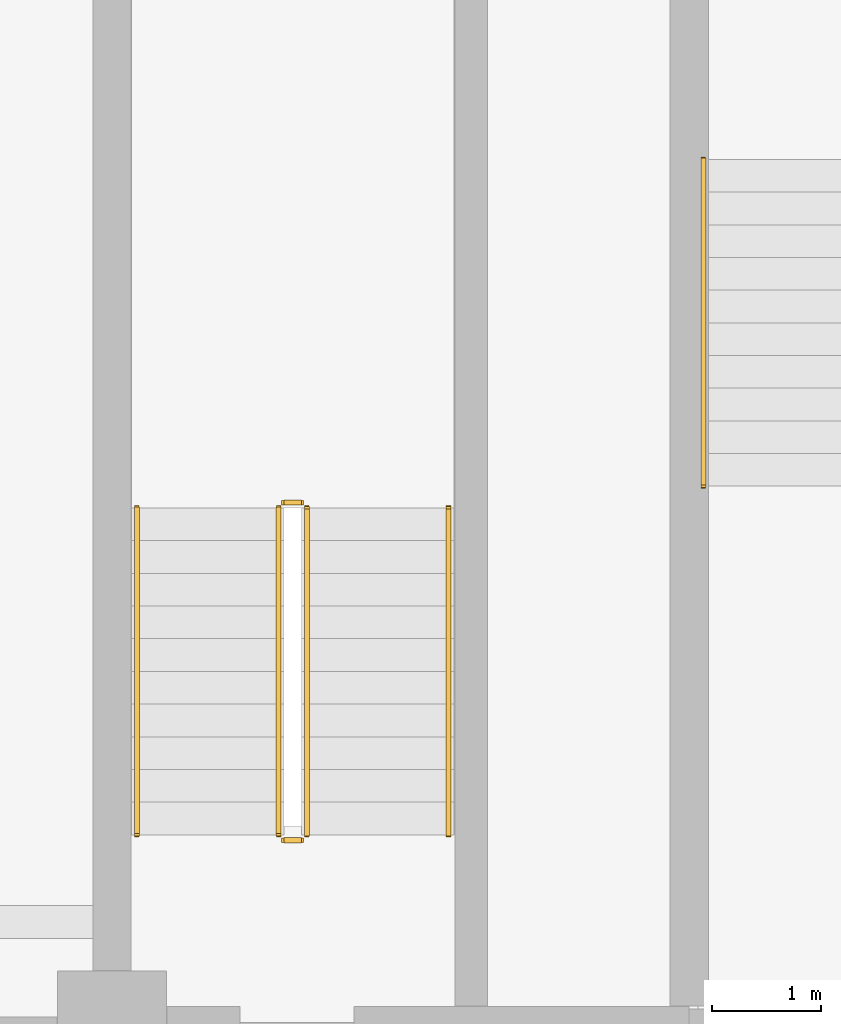
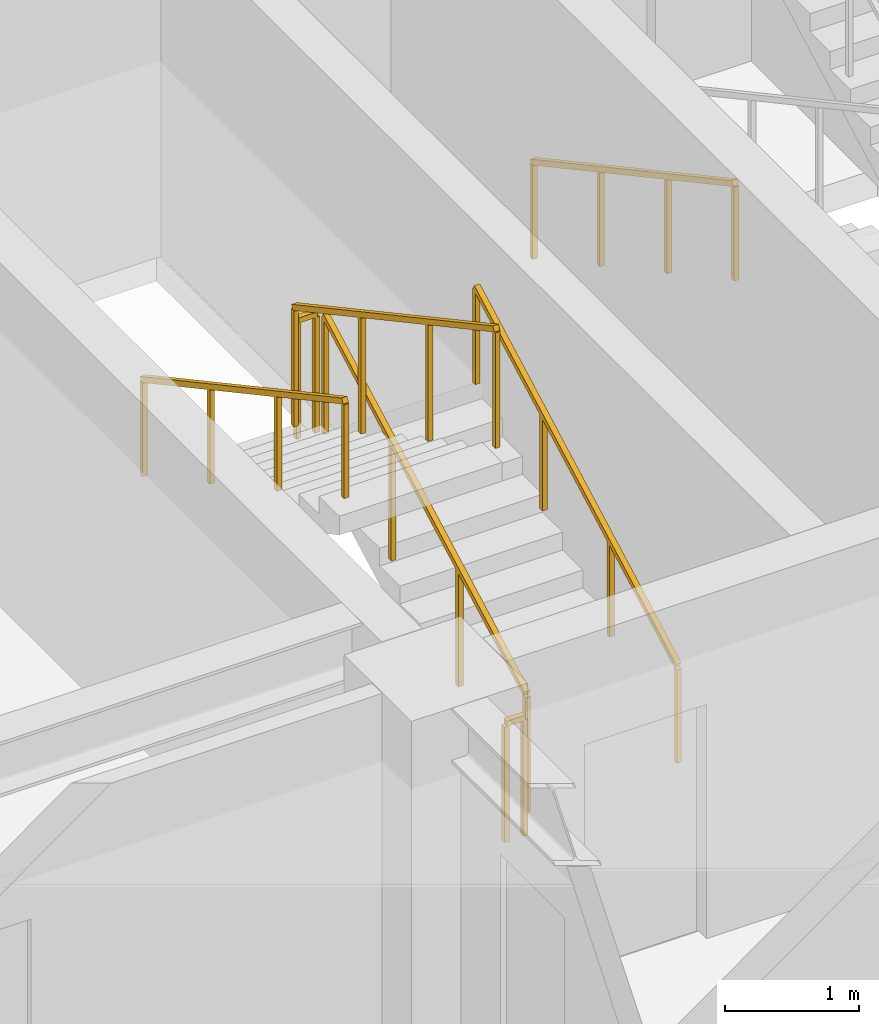
# One storey, part 13 of 17: 7 railings.
"""IFC4 building model written with IfcOpenShell, lengths in metres."""

from ifc_helpers import new_model, si_unit, direction, frame, origin, origin_2d, place, context, subcontext, project, spatial, rectangle, extrude, material, type_object, element, save


model = new_model("IFC4")

# Units and contexts
model_context = context("Model", 3, precision=1e-05, world=origin(), true_north=direction((0.0, 1.0)))
body_context = subcontext(model_context, "Body", "Model", "MODEL_VIEW")
ifc_project = project(units=[si_unit("LENGTHUNIT", "METRE"), si_unit("AREAUNIT", "SQUARE_METRE"), si_unit("VOLUMEUNIT", "CUBIC_METRE"), si_unit("PLANEANGLEUNIT", "RADIAN"), si_unit("MASSUNIT", "GRAM", prefix="KILO")], contexts=[model_context])

# Site, building, storey
site_placement = place(None, origin())
site = spatial("IfcSite", under=ifc_project, at=site_placement, CompositionType="ELEMENT")
building_placement = place(site_placement, origin())
building = spatial("IfcBuilding", under=site, at=building_placement, Name="Zulmaris Gate Convention Tower", CompositionType="ELEMENT")
storey_placement = place(building_placement, frame((0.0, 0.0, 149.909912109375)))
storey = spatial("IfcBuildingStorey", under=building, at=storey_placement, Name="L38", CompositionType="ELEMENT", Elevation=149.909912109375)

# Railings
ifc_material_1 = material(Name="Painted Galvanised Steel", Category="steel")
railing_type_1 = type_object("IfcRailingType", Name="RL-STG-1150", PredefinedType="GUARDRAIL", material=ifc_material_1)
railing_1_placement = place(storey_placement, frame((-18.2099609375, -8.199951171875, 0.162353515625)))
element("IfcRailing", 1, at=railing_1_placement, inside=storey, type_object=railing_type_1, Name="L38 ST-3 stair guard 1", PredefinedType="GUARDRAIL", context=body_context, shape_type="SweptSolid", body=[
    extrude(rectangle(XDim=0.048095703125, YDim=0.048095703125, at=origin_2d()), frame((0.0, 0.0, 1.076171875), z_axis=(0.0, 0.8795616155, 0.475784998228), x_axis=(-1.0, 0.0, 0.0)), (0.0, 0.0, 1.0), 3.410888671875),
    extrude(rectangle(XDim=0.0419921875, YDim=0.0419921875, at=origin_2d()), origin(), (0.0, 0.0, 1.0), 1.052001953125),
    extrude(rectangle(XDim=0.0419921875, YDim=0.0419921875, at=origin_2d()), frame((0.0, 1.0, 0.541015625)), (0.0, 0.0, 1.0), 1.052001953125),
    extrude(rectangle(XDim=0.0419921875, YDim=0.0419921875, at=origin_2d()), frame((0.0, 2.0, 1.081787109375)), (0.0, 0.0, 1.0), 1.052001953125),
    extrude(rectangle(XDim=0.0419921875, YDim=0.0419921875, at=origin_2d()), frame((0.0, 3.0, 1.622802734375)), (0.0, 0.0, 1.0), 1.052001953125),
])
railing_2_placement = place(storey_placement, frame((-18.260009765625, -5.14990234375, 1.78515625)))
element("IfcRailing", 2, at=railing_2_placement, inside=storey, type_object=railing_type_1, Name="L38 ST-3 stair guard 2", PredefinedType="GUARDRAIL", context=body_context, shape_type="SweptSolid", body=[
    extrude(rectangle(XDim=0.048095703125, YDim=0.048095703125, at=origin_2d()), frame((0.0, 0.0, 1.076171875), z_axis=(-1.0, 0.0, 0.0), x_axis=(0.0, -1.0, 0.0)), (0.0, 0.0, 1.0), 0.159912109375),
    extrude(rectangle(XDim=0.0419921875, YDim=0.0419921875, at=origin_2d()), origin(), (0.0, 0.0, 1.0), 1.052001953125),
    extrude(rectangle(XDim=0.0419921875, YDim=0.0419921875, at=origin_2d()), frame((-0.159912109375, 0.0, 0.0)), (0.0, 0.0, 1.0), 1.052001953125),
])
railing_3_placement = place(storey_placement, frame((-18.469970703125, -5.199951171875, 1.947265625)))
element("IfcRailing", 3, at=railing_3_placement, inside=storey, type_object=railing_type_1, Name="L38 ST-3 stair guard 3", PredefinedType="GUARDRAIL", context=body_context, shape_type="SweptSolid", body=[
    extrude(rectangle(XDim=0.048095703125, YDim=0.048095703125, at=origin_2d()), frame((0.0, 0.0, 1.076171875), z_axis=(0.0, -0.8795616155, 0.475784998228), x_axis=(1.0, 0.0, 0.0)), (0.0, 0.0, 1.0), 3.410888671875),
    extrude(rectangle(XDim=0.0419921875, YDim=0.0419921875, at=origin_2d()), origin(), (0.0, 0.0, 1.0), 1.052001953125),
    extrude(rectangle(XDim=0.0419921875, YDim=0.0419921875, at=origin_2d()), frame((0.0, -1.0, 0.541015625)), (0.0, 0.0, 1.0), 1.052001953125),
    extrude(rectangle(XDim=0.0419921875, YDim=0.0419921875, at=origin_2d()), frame((0.0, -2.0, 1.081787109375)), (0.0, 0.0, 1.0), 1.052001953125),
    extrude(rectangle(XDim=0.0419921875, YDim=0.0419921875, at=origin_2d()), frame((0.0, -3.0, 1.622802734375)), (0.0, 0.0, 1.0), 1.052001953125),
])
railing_4_placement = place(storey_placement, frame((-18.260009765625, -8.25, 0.0)))
element("IfcRailing", 4, at=railing_4_placement, inside=storey, type_object=railing_type_1, Name="L38 ST-3 stair guard 4", PredefinedType="GUARDRAIL", context=body_context, shape_type="SweptSolid", body=[
    extrude(rectangle(XDim=0.048095703125, YDim=0.048095703125, at=origin_2d()), frame((0.0, 0.0, 1.076171875), z_axis=(-1.0, 0.0, 0.0), x_axis=(0.0, -1.0, 0.0)), (0.0, 0.0, 1.0), 0.159912109375),
    extrude(rectangle(XDim=0.0419921875, YDim=0.0419921875, at=origin_2d()), origin(), (0.0, 0.0, 1.0), 1.052001953125),
    extrude(rectangle(XDim=0.0419921875, YDim=0.0419921875, at=origin_2d()), frame((-0.159912109375, 0.0, 0.0)), (0.0, 0.0, 1.0), 1.052001953125),
])
ifc_material_2 = material(Name="Brushed Stainless Steel", Category="steel")
railing_type_2 = type_object("IfcRailingType", Name="RL-STH-900", PredefinedType="HANDRAIL", material=ifc_material_2)
railing_5_placement = place(storey_placement, frame((-14.570068359375, -2.0, 0.162353515625)))
element("IfcRailing", 5, at=railing_5_placement, inside=storey, type_object=railing_type_2, Name="L38 ST-1 stair handrail 1", PredefinedType="HANDRAIL", context=body_context, shape_type="SweptSolid", body=[
    extrude(rectangle(XDim=0.048095703125, YDim=0.048095703125, at=origin_2d()), frame((0.0, 0.0, 0.8759765625), z_axis=(0.0, -0.8795616155, 0.475784998228), x_axis=(1.0, 0.0, 0.0)), (0.0, 0.0, 1.0), 3.410888671875),
    extrude(rectangle(XDim=0.0419921875, YDim=0.0419921875, at=origin_2d()), origin(), (0.0, 0.0, 1.0), 0.851806640625),
    extrude(rectangle(XDim=0.0419921875, YDim=0.0419921875, at=origin_2d()), frame((0.0, -1.0, 0.541015625)), (0.0, 0.0, 1.0), 0.851806640625),
    extrude(rectangle(XDim=0.0419921875, YDim=0.0419921875, at=origin_2d()), frame((0.0, -2.0, 1.081787109375)), (0.0, 0.0, 1.0), 0.851806640625),
    extrude(rectangle(XDim=0.0419921875, YDim=0.0419921875, at=origin_2d()), frame((0.0, -3.0, 1.622802734375)), (0.0, 0.0, 1.0), 0.851806640625),
])
railing_6_placement = place(storey_placement, frame((-16.909912109375, -8.199951171875, 0.162353515625)))
element("IfcRailing", 6, at=railing_6_placement, inside=storey, type_object=railing_type_2, Name="L38 ST-3 stair handrail 1", PredefinedType="HANDRAIL", context=body_context, shape_type="SweptSolid", body=[
    extrude(rectangle(XDim=0.048095703125, YDim=0.048095703125, at=origin_2d()), frame((0.0, 0.0, 0.8759765625), z_axis=(0.0, 0.8795616155, 0.475784998228), x_axis=(-1.0, 0.0, 0.0)), (0.0, 0.0, 1.0), 3.410888671875),
    extrude(rectangle(XDim=0.0419921875, YDim=0.0419921875, at=origin_2d()), origin(), (0.0, 0.0, 1.0), 0.851806640625),
    extrude(rectangle(XDim=0.0419921875, YDim=0.0419921875, at=origin_2d()), frame((0.0, 1.0, 0.541015625)), (0.0, 0.0, 1.0), 0.851806640625),
    extrude(rectangle(XDim=0.0419921875, YDim=0.0419921875, at=origin_2d()), frame((0.0, 2.0, 1.081787109375)), (0.0, 0.0, 1.0), 0.851806640625),
    extrude(rectangle(XDim=0.0419921875, YDim=0.0419921875, at=origin_2d()), frame((0.0, 3.0, 1.622802734375)), (0.0, 0.0, 1.0), 0.851806640625),
])
railing_7_placement = place(storey_placement, frame((-19.77001953125, -5.199951171875, 1.947265625)))
element("IfcRailing", 7, at=railing_7_placement, inside=storey, type_object=railing_type_2, Name="L38 ST-3 stair handrail 2", PredefinedType="HANDRAIL", context=body_context, shape_type="SweptSolid", body=[
    extrude(rectangle(XDim=0.048095703125, YDim=0.048095703125, at=origin_2d()), frame((0.0, 0.0, 0.8759765625), z_axis=(0.0, -0.8795616155, 0.475784998228), x_axis=(1.0, 0.0, 0.0)), (0.0, 0.0, 1.0), 3.410888671875),
    extrude(rectangle(XDim=0.0419921875, YDim=0.0419921875, at=origin_2d()), origin(), (0.0, 0.0, 1.0), 0.851806640625),
    extrude(rectangle(XDim=0.0419921875, YDim=0.0419921875, at=origin_2d()), frame((0.0, -1.0, 0.541015625)), (0.0, 0.0, 1.0), 0.851806640625),
    extrude(rectangle(XDim=0.0419921875, YDim=0.0419921875, at=origin_2d()), frame((0.0, -2.0, 1.081787109375)), (0.0, 0.0, 1.0), 0.851806640625),
    extrude(rectangle(XDim=0.0419921875, YDim=0.0419921875, at=origin_2d()), frame((0.0, -3.0, 1.622802734375)), (0.0, 0.0, 1.0), 0.851806640625),
])

save(model, "model.ifc")
